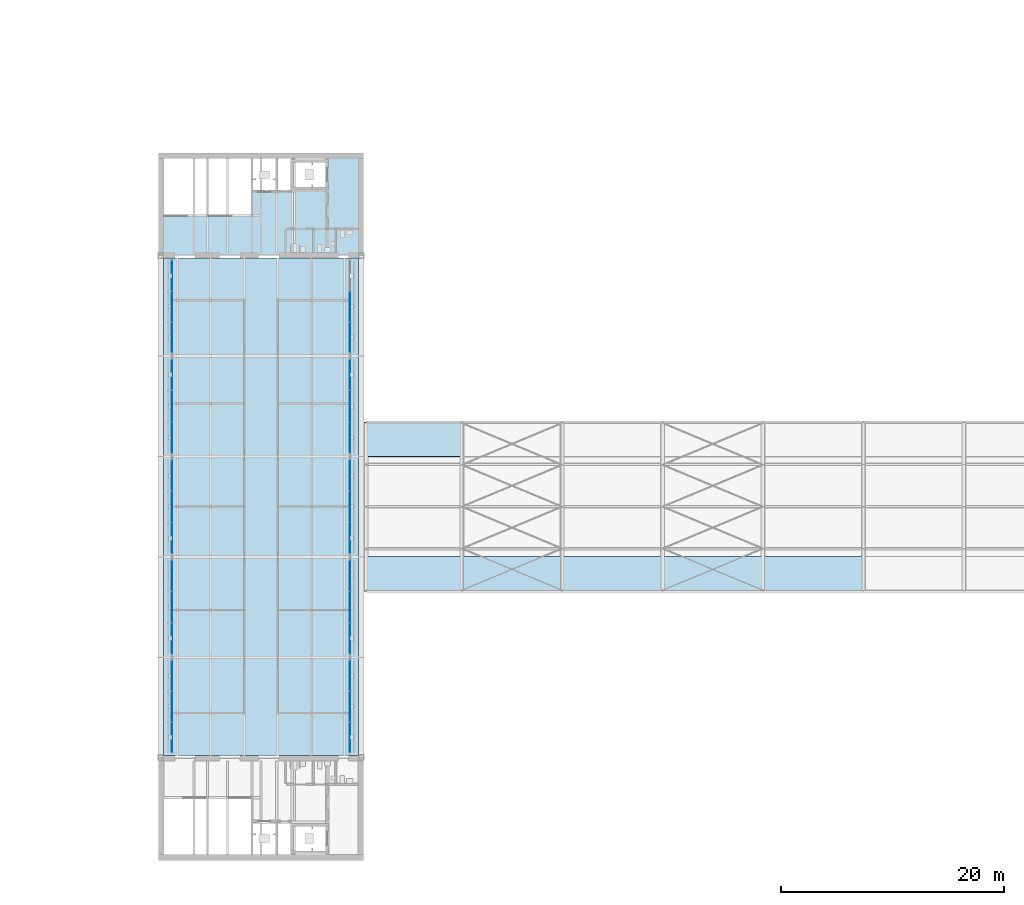
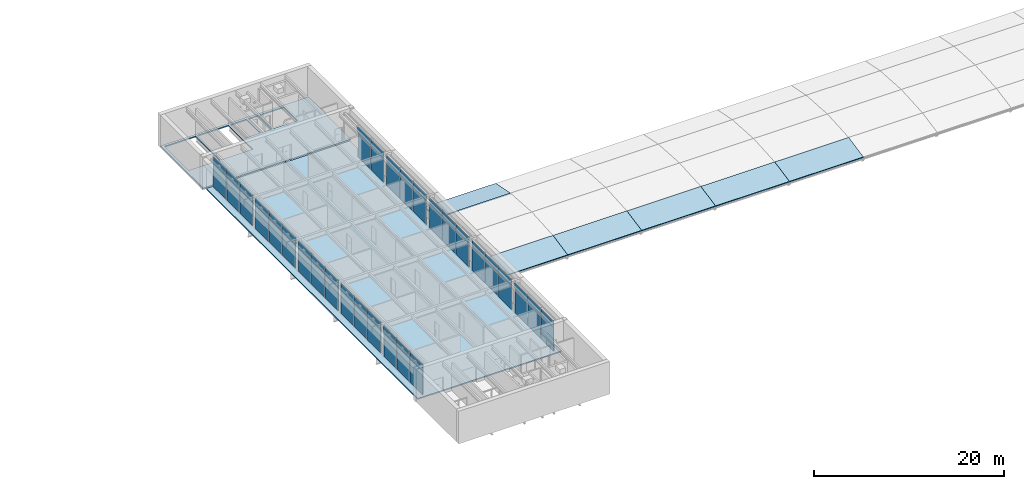
# One storey, part 16 of 43: 58 plates, 8 slabs, 10 elements without a shape of their own.
"""IFC4 building model written with IfcOpenShell, lengths in metres."""

import ifcopenshell
import ifcopenshell.guid

model = None  # the IFC model being written
_history = None  # IfcOwnerHistory: only IFC2X3 demands one
_inside = {}  # id of a spatial element -> (the spatial element, [elements in it])
_under = {}  # id of a project, library or spatial element -> (it, [spatial elements below it])
_declared = {}  # id of a project -> (the project, [libraries it declares])
_typed = {}  # id of a type object -> (the type object, [elements of that type])
_made_of = {}  # id of a material, layer set ... -> (it, [elements and type objects made of it])


def new_model(schema):
    """Start an empty IFC model of exactly this schema.

    Asked for "IFC4X3", IfcOpenShell would pick the latest addendum, in which some entities
    have other attributes; the version numbers below select the first issue.
    IFC2X3 requires an IfcOwnerHistory on every rooted entity: one is made here for all.
    """
    global model, _history
    if schema == "IFC4X3":
        model = ifcopenshell.file(schema_version=(4, 3, 0, 0))
    else:
        model = ifcopenshell.file(schema=schema)
    _inside.clear()
    _under.clear()
    _declared.clear()
    _typed.clear()
    _made_of.clear()
    _history = None
    if model.schema == "IFC2X3":
        org = make("IfcOrganization", Name="unknown")
        user = make(
            "IfcPersonAndOrganization",
            ThePerson=make("IfcPerson", FamilyName="unknown"),
            TheOrganization=org,
        )
        app = make(
            "IfcApplication",
            ApplicationDeveloper=org,
            Version="unknown",
            ApplicationFullName="unknown",
            ApplicationIdentifier="unknown",
        )
        _history = make(
            "IfcOwnerHistory",
            OwningUser=user,
            OwningApplication=app,
            ChangeAction="ADDED",
            CreationDate=0,
        )
    return model


def make(cls, **values):
    """One entity of the class cls with the attributes given. An attribute that is None is left unset."""
    return model.create_entity(
        cls, **{name: value for name, value in values.items() if value is not None}
    )


def rooted(cls, **values):
    """An entity with a GlobalId (a new one), such as an element, a storey or a relation."""
    return make(cls, GlobalId=ifcopenshell.guid.new(), OwnerHistory=_history, **values)


def si_unit(unit_type, name, prefix=None):
    """IfcSIUnit, for example si_unit("LENGTHUNIT", "METRE", prefix="MILLI")."""
    return make("IfcSIUnit", UnitType=unit_type, Prefix=prefix, Name=name)


def assignment(units):
    """IfcUnitAssignment: the units of a project."""
    return None if units is None else make("IfcUnitAssignment", Units=units)


def point(xyz):
    """IfcCartesianPoint."""
    return None if xyz is None else make("IfcCartesianPoint", Coordinates=xyz)


def direction(xyz):
    """IfcDirection."""
    return None if xyz is None else make("IfcDirection", DirectionRatios=xyz)


def frame(location, z_axis=None, x_axis=None):
    """IfcAxis2Placement3D, a coordinate frame: its origin and axes. An axis left out is left unset."""
    return make(
        "IfcAxis2Placement3D",
        Location=point(location),
        Axis=direction(z_axis),
        RefDirection=direction(x_axis),
    )


def frame_2d(location, x_axis=None):
    """IfcAxis2Placement2D, a coordinate frame in the plane: its origin and x axis."""
    return make(
        "IfcAxis2Placement2D", Location=point(location), RefDirection=direction(x_axis)
    )


def origin():
    """The frame at (0, 0, 0) with its axes left unset."""
    return frame((0.0, 0.0, 0.0))


def origin_2d():
    """The frame at (0, 0) in the plane with its x axis left unset."""
    return frame_2d((0.0, 0.0))


def place(relative_to, where):
    """IfcLocalPlacement: puts the frame where relative to a parent placement (None: the world)."""
    return make(
        "IfcLocalPlacement", PlacementRelTo=relative_to, RelativePlacement=where
    )


def context(
    kind, dimensions, precision=None, world=None, true_north=None, identifier=None
):
    """IfcGeometricRepresentationContext, for example the 3D "Model" context."""
    return make(
        "IfcGeometricRepresentationContext",
        ContextIdentifier=identifier,
        ContextType=kind,
        CoordinateSpaceDimension=dimensions,
        Precision=precision,
        WorldCoordinateSystem=world,
        TrueNorth=true_north,
    )


def subcontext(parent, identifier, kind, view, scale=None):
    """IfcGeometricRepresentationSubContext, for example "Body" below "Model"."""
    return make(
        "IfcGeometricRepresentationSubContext",
        ContextIdentifier=identifier,
        ContextType=kind,
        ParentContext=parent,
        TargetScale=scale,
        TargetView=view,
    )


def project(units=None, contexts=None):
    """IfcProject with its units and contexts."""
    return rooted(
        "IfcProject",
        Name="project",
        RepresentationContexts=contexts,
        UnitsInContext=assignment(units),
    )


def spatial(cls, under=None, at=None, **own):
    """A site, building, storey or space (cls), placed at a placement, below another one or the project."""
    s = rooted(cls, ObjectPlacement=at, **own)
    if under is not None:
        _under.setdefault(under.id(), (under, []))[1].append(s)
    return s


def polyline(points):
    """IfcPolyline through the points."""
    return make("IfcPolyline", Points=[point(p) for p in points])


def profile(cls, at=None, kind="AREA", **sizes):
    """A parametric profile (cls). Its sizes go by their IFC names, for example OverallWidth=200.0."""
    return make(cls, ProfileType=kind, Position=at, **sizes)


def rectangle(**sizes):
    """IfcRectangleProfileDef."""
    return profile("IfcRectangleProfileDef", **sizes)


def outline(outer, holes=None, kind="AREA"):
    """IfcArbitraryClosedProfileDef: a profile drawn as a closed curve; with holes, ...WithVoids."""
    if holes is None:
        return make("IfcArbitraryClosedProfileDef", ProfileType=kind, OuterCurve=outer)
    return make(
        "IfcArbitraryProfileDefWithVoids",
        ProfileType=kind,
        OuterCurve=outer,
        InnerCurves=holes,
    )


def extrude(swept, where, along, depth):
    """IfcExtrudedAreaSolid: the profile swept, set in the frame where, extruded along a direction by depth."""
    return make(
        "IfcExtrudedAreaSolid",
        SweptArea=swept,
        Position=where,
        ExtrudedDirection=direction(along),
        Depth=depth,
    )


def shape(context_of_items, identifier, shape_type, items):
    """IfcShapeRepresentation: the items that make up one representation, for example the "Body"."""
    return make(
        "IfcShapeRepresentation",
        ContextOfItems=context_of_items,
        RepresentationIdentifier=identifier,
        RepresentationType=shape_type,
        Items=items,
    )


def material(Name=None, Category=None):
    """IfcMaterial."""
    return make("IfcMaterial", Name=Name, Category=Category)


def layer(
    of_material, thickness, ventilated=None, Name=None, Category=None, Priority=None
):
    """IfcMaterialLayer: one layer of a wall or slab, of a material (None: an air gap)."""
    return make(
        "IfcMaterialLayer",
        Material=of_material,
        LayerThickness=thickness,
        IsVentilated=ventilated,
        Name=Name,
        Category=Category,
        Priority=Priority,
    )


def layer_set(layers, Name=None):
    """IfcMaterialLayerSet."""
    return make("IfcMaterialLayerSet", MaterialLayers=layers, LayerSetName=Name)


def made_of(thing, what):
    """Note that an element or type object is made of a material, layer set ...; save() writes the relation."""
    if what is not None:
        _made_of.setdefault(what.id(), (what, []))[1].append(thing)
    return thing


def type_object(cls, material=None, **own):
    """A type object (cls), such as IfcWallType, which elements share."""
    return made_of(rooted(cls, **own), material)


def element(
    cls,
    number,
    at=None,
    inside=None,
    cuts=None,
    type_object=None,
    material=None,
    context=None,
    identifier="Body",
    shape_type=None,
    held_by="IfcProductDefinitionShape",
    body=None,
    shapes=None,
    **own,
):
    """One element of the class cls, such as IfcWall. Its Tag is "e" and its number.

    at: its placement. inside: the storey or other place that contains it. cuts: it is an
    opening in that element (IfcRelVoidsElement). A single representation is given by context,
    identifier, shape_type and body (its items); several are given by shapes. held_by: the class
    of the entity that holds the representations. save() writes the other relations.
    """
    e = rooted(cls, Tag="e%d" % number, ObjectPlacement=at, **own)
    if body is not None:
        shapes = [shape(context, identifier, shape_type, body)]
    if shapes is not None:
        e.Representation = make(held_by, Representations=shapes)
    if inside is not None:
        _inside.setdefault(inside.id(), (inside, []))[1].append(e)
    if cuts is not None:
        rooted(
            "IfcRelVoidsElement", RelatingBuildingElement=cuts, RelatedOpeningElement=e
        )
    if type_object is not None:
        _typed.setdefault(type_object.id(), (type_object, []))[1].append(e)
    return made_of(e, material)


def aggregate(whole, parts):
    """IfcRelAggregates: a whole, such as a stair, and the parts it consists of."""
    return rooted("IfcRelAggregates", RelatingObject=whole, RelatedObjects=parts)


def save(model, path):
    """Write the relations noted so far, then the file.

    IfcRelAggregates (storeys below a building ...), IfcRelContainedInSpatialStructure (elements
    in a storey), IfcRelDefinesByType, IfcRelAssociatesMaterial and IfcRelDeclares: one each for
    every whole, place, type object, material and project.
    """
    for whole, parts in _under.values():
        aggregate(whole, parts)
    for where, things in _inside.values():
        rooted(
            "IfcRelContainedInSpatialStructure",
            RelatedElements=things,
            RelatingStructure=where,
        )
    for kind, things in _typed.values():
        rooted("IfcRelDefinesByType", RelatedObjects=things, RelatingType=kind)
    for what, things in _made_of.values():
        rooted("IfcRelAssociatesMaterial", RelatedObjects=things, RelatingMaterial=what)
    for by, libraries in _declared.values():
        rooted("IfcRelDeclares", RelatingContext=by, RelatedDefinitions=libraries)
    model.write(path)


model = new_model("IFC4")

# Units and contexts
model_context = context("Model", 3, precision=1e-05, world=origin(), true_north=direction((0.0, 1.0)))
body_context = subcontext(model_context, "Body", "Model", "MODEL_VIEW")
ifc_project = project(units=[si_unit("LENGTHUNIT", "METRE"), si_unit("AREAUNIT", "SQUARE_METRE"), si_unit("VOLUMEUNIT", "CUBIC_METRE"), si_unit("PLANEANGLEUNIT", "RADIAN"), si_unit("MASSUNIT", "GRAM", prefix="KILO")], contexts=[model_context])

# Site, building, storey
site_placement = place(None, origin())
site = spatial("IfcSite", under=ifc_project, at=site_placement, CompositionType="ELEMENT")
building_placement = place(site_placement, origin())
building = spatial("IfcBuilding", under=site, at=building_placement, Name="Baradari Gate Terminus", CompositionType="ELEMENT")
storey_placement = place(building_placement, frame((0.0, 0.0, 20.10009765625)))
storey = spatial("IfcBuildingStorey", under=building, at=storey_placement, Name="L04", CompositionType="ELEMENT", Elevation=20.10009765625)

# Curtain wall, plates
ifc_material_1 = material(Name="Aluminium 6063-T6", Category="aluminium")
curtain_wall_type = type_object("IfcCurtainWallType", Name="Curtain wall CW-3 gate face, office floors", PredefinedType="NOTDEFINED", material=ifc_material_1)
curtain_wall_1_placement = place(storey_placement, origin())
curtain_wall_1 = element("IfcCurtainWall", 1, at=curtain_wall_1_placement, inside=storey, type_object=curtain_wall_type, Name="Curtain wall CW-3 gate west face L04 bay 1", PredefinedType="NOTDEFINED")
ifc_material_2 = material(Name="Insulating glass unit", Category="glass")
ifc_layer_1 = layer(ifc_material_2, 0.0400390625)
ifc_layer_set_1 = layer_set([ifc_layer_1], Name="Insulating glass unit")
plate_type_1 = type_object("IfcPlateType", Name="Curtain wall glazing unit CP-3 40", PredefinedType="CURTAIN_PANEL", material=ifc_layer_set_1)
plate_1_placement = place(storey_placement, frame((73.02490234375, 40.574951171875, 0.080078125), z_axis=(0.0, 0.0, 1.0), x_axis=(0.0, 1.0, 0.0)))
plate_1 = element("IfcPlate", 2, at=plate_1_placement, type_object=plate_type_1, Name="CW-3 panel 2.1", PredefinedType="CURTAIN_PANEL", context=body_context, shape_type="SweptSolid", body=[
    extrude(rectangle(XDim=2.703369140625, YDim=0.0400390625, at=origin_2d()), origin(), (0.0, 0.0, 1.0), 3.030029296875),
])
plate_2_placement = place(storey_placement, frame((73.02490234375, 43.33837890625, 0.080078125), z_axis=(0.0, 0.0, 1.0), x_axis=(0.0, 1.0, 0.0)))
plate_2 = element("IfcPlate", 3, at=plate_2_placement, type_object=plate_type_1, Name="CW-3 panel 3.1", PredefinedType="CURTAIN_PANEL", context=body_context, shape_type="SweptSolid", body=[
    extrude(rectangle(XDim=2.663330078125, YDim=0.0400390625, at=origin_2d()), origin(), (0.0, 0.0, 1.0), 3.030029296875),
])

curtain_wall_2_placement = place(storey_placement, origin())
curtain_wall_2 = element("IfcCurtainWall", 4, at=curtain_wall_2_placement, inside=storey, type_object=curtain_wall_type, Name="Curtain wall CW-3 gate west face L04 bay 2", PredefinedType="NOTDEFINED")
plate_3_placement = place(storey_placement, frame((73.02490234375, 49.5, 0.080078125), z_axis=(0.0, 0.0, 1.0), x_axis=(0.0, 1.0, 0.0)))
plate_3 = element("IfcPlate", 5, at=plate_3_placement, type_object=plate_type_1, Name="CW-3 panel 2.1", PredefinedType="CURTAIN_PANEL", context=body_context, shape_type="SweptSolid", body=[
    extrude(rectangle(XDim=2.75341796875, YDim=0.0400390625, at=origin_2d()), origin(), (0.0, 0.0, 1.0), 3.030029296875),
])
plate_4_placement = place(storey_placement, frame((73.02490234375, 52.313232421875, 0.080078125), z_axis=(0.0, 0.0, 1.0), x_axis=(0.0, 1.0, 0.0)))
plate_4 = element("IfcPlate", 6, at=plate_4_placement, type_object=plate_type_1, Name="CW-3 panel 3.1", PredefinedType="CURTAIN_PANEL", context=body_context, shape_type="SweptSolid", body=[
    extrude(rectangle(XDim=2.71337890625, YDim=0.0400390625, at=origin_2d()), origin(), (0.0, 0.0, 1.0), 3.030029296875),
])

curtain_wall_3_placement = place(storey_placement, origin())
curtain_wall_3 = element("IfcCurtainWall", 7, at=curtain_wall_3_placement, inside=storey, type_object=curtain_wall_type, Name="Curtain wall CW-3 gate west face L04 bay 3", PredefinedType="NOTDEFINED")
plate_5_placement = place(storey_placement, frame((73.02490234375, 58.5, 0.080078125), z_axis=(0.0, 0.0, 1.0), x_axis=(0.0, 1.0, 0.0)))
plate_5 = element("IfcPlate", 8, at=plate_5_placement, type_object=plate_type_1, Name="CW-3 panel 2.1", PredefinedType="CURTAIN_PANEL", context=body_context, shape_type="SweptSolid", body=[
    extrude(rectangle(XDim=2.75341796875, YDim=0.0400390625, at=origin_2d()), origin(), (0.0, 0.0, 1.0), 3.030029296875),
])
plate_6_placement = place(storey_placement, frame((73.02490234375, 61.313232421875, 0.080078125), z_axis=(0.0, 0.0, 1.0), x_axis=(0.0, 1.0, 0.0)))
plate_6 = element("IfcPlate", 9, at=plate_6_placement, type_object=plate_type_1, Name="CW-3 panel 3.1", PredefinedType="CURTAIN_PANEL", context=body_context, shape_type="SweptSolid", body=[
    extrude(rectangle(XDim=2.71337890625, YDim=0.0400390625, at=origin_2d()), origin(), (0.0, 0.0, 1.0), 3.030029296875),
])

curtain_wall_4_placement = place(storey_placement, origin())
curtain_wall_4 = element("IfcCurtainWall", 10, at=curtain_wall_4_placement, inside=storey, type_object=curtain_wall_type, Name="Curtain wall CW-3 gate west face L04 bay 4", PredefinedType="NOTDEFINED")
plate_7_placement = place(storey_placement, frame((73.02490234375, 64.686767578125, 0.080078125), z_axis=(0.0, 0.0, 1.0), x_axis=(0.0, 1.0, 0.0)))
plate_7 = element("IfcPlate", 11, at=plate_7_placement, type_object=plate_type_1, Name="CW-3 panel 1.1", PredefinedType="CURTAIN_PANEL", context=body_context, shape_type="SweptSolid", body=[
    extrude(rectangle(XDim=2.71337890625, YDim=0.0400390625, at=origin_2d()), origin(), (0.0, 0.0, 1.0), 3.030029296875),
])
plate_8_placement = place(storey_placement, frame((73.02490234375, 67.5, 0.080078125), z_axis=(0.0, 0.0, 1.0), x_axis=(0.0, 1.0, 0.0)))
plate_8 = element("IfcPlate", 12, at=plate_8_placement, type_object=plate_type_1, Name="CW-3 panel 2.1", PredefinedType="CURTAIN_PANEL", context=body_context, shape_type="SweptSolid", body=[
    extrude(rectangle(XDim=2.75341796875, YDim=0.0400390625, at=origin_2d()), origin(), (0.0, 0.0, 1.0), 3.030029296875),
])

curtain_wall_5_placement = place(storey_placement, origin())
curtain_wall_5 = element("IfcCurtainWall", 13, at=curtain_wall_5_placement, inside=storey, type_object=curtain_wall_type, Name="Curtain wall CW-3 gate west face L04 bay 5", PredefinedType="NOTDEFINED")
plate_9_placement = place(storey_placement, frame((73.02490234375, 73.66162109375, 0.080078125), z_axis=(0.0, 0.0, 1.0), x_axis=(0.0, 1.0, 0.0)))
plate_9 = element("IfcPlate", 14, at=plate_9_placement, type_object=plate_type_1, Name="CW-3 panel 1.1", PredefinedType="CURTAIN_PANEL", context=body_context, shape_type="SweptSolid", body=[
    extrude(rectangle(XDim=2.663330078125, YDim=0.0400390625, at=origin_2d()), origin(), (0.0, 0.0, 1.0), 3.030029296875),
])
plate_10_placement = place(storey_placement, frame((73.02490234375, 76.425048828125, 0.080078125), z_axis=(0.0, 0.0, 1.0), x_axis=(0.0, 1.0, 0.0)))
plate_10 = element("IfcPlate", 15, at=plate_10_placement, type_object=plate_type_1, Name="CW-3 panel 2.1", PredefinedType="CURTAIN_PANEL", context=body_context, shape_type="SweptSolid", body=[
    extrude(rectangle(XDim=2.703369140625, YDim=0.0400390625, at=origin_2d()), origin(), (0.0, 0.0, 1.0), 3.030029296875),
])

curtain_wall_6_placement = place(storey_placement, origin())
curtain_wall_6 = element("IfcCurtainWall", 16, at=curtain_wall_6_placement, inside=storey, type_object=curtain_wall_type, Name="Curtain wall CW-3 gate east face L04 bay 1", PredefinedType="NOTDEFINED")
plate_11_placement = place(storey_placement, frame((88.97509765625, 40.574951171875, 0.080078125), z_axis=(0.0, 0.0, 1.0), x_axis=(0.0, 1.0, 0.0)))
plate_11 = element("IfcPlate", 17, at=plate_11_placement, type_object=plate_type_1, Name="CW-3 panel 2.1", PredefinedType="CURTAIN_PANEL", context=body_context, shape_type="SweptSolid", body=[
    extrude(rectangle(XDim=2.703369140625, YDim=0.0400390625, at=origin_2d()), origin(), (0.0, 0.0, 1.0), 3.030029296875),
])
plate_12_placement = place(storey_placement, frame((88.97509765625, 43.33837890625, 0.080078125), z_axis=(0.0, 0.0, 1.0), x_axis=(0.0, 1.0, 0.0)))
plate_12 = element("IfcPlate", 18, at=plate_12_placement, type_object=plate_type_1, Name="CW-3 panel 3.1", PredefinedType="CURTAIN_PANEL", context=body_context, shape_type="SweptSolid", body=[
    extrude(rectangle(XDim=2.663330078125, YDim=0.0400390625, at=origin_2d()), origin(), (0.0, 0.0, 1.0), 3.030029296875),
])

curtain_wall_7_placement = place(storey_placement, origin())
curtain_wall_7 = element("IfcCurtainWall", 19, at=curtain_wall_7_placement, inside=storey, type_object=curtain_wall_type, Name="Curtain wall CW-3 gate east face L04 bay 2", PredefinedType="NOTDEFINED")
plate_13_placement = place(storey_placement, frame((88.97509765625, 49.5, 0.080078125), z_axis=(0.0, 0.0, 1.0), x_axis=(0.0, 1.0, 0.0)))
plate_13 = element("IfcPlate", 20, at=plate_13_placement, type_object=plate_type_1, Name="CW-3 panel 2.1", PredefinedType="CURTAIN_PANEL", context=body_context, shape_type="SweptSolid", body=[
    extrude(rectangle(XDim=2.75341796875, YDim=0.0400390625, at=origin_2d()), origin(), (0.0, 0.0, 1.0), 3.030029296875),
])
plate_14_placement = place(storey_placement, frame((88.97509765625, 52.313232421875, 0.080078125), z_axis=(0.0, 0.0, 1.0), x_axis=(0.0, 1.0, 0.0)))
plate_14 = element("IfcPlate", 21, at=plate_14_placement, type_object=plate_type_1, Name="CW-3 panel 3.1", PredefinedType="CURTAIN_PANEL", context=body_context, shape_type="SweptSolid", body=[
    extrude(rectangle(XDim=2.71337890625, YDim=0.0400390625, at=origin_2d()), origin(), (0.0, 0.0, 1.0), 3.030029296875),
])

curtain_wall_8_placement = place(storey_placement, origin())
curtain_wall_8 = element("IfcCurtainWall", 22, at=curtain_wall_8_placement, inside=storey, type_object=curtain_wall_type, Name="Curtain wall CW-3 gate east face L04 bay 3", PredefinedType="NOTDEFINED")
plate_15_placement = place(storey_placement, frame((88.97509765625, 58.5, 0.080078125), z_axis=(0.0, 0.0, 1.0), x_axis=(0.0, 1.0, 0.0)))
plate_15 = element("IfcPlate", 23, at=plate_15_placement, type_object=plate_type_1, Name="CW-3 panel 2.1", PredefinedType="CURTAIN_PANEL", context=body_context, shape_type="SweptSolid", body=[
    extrude(rectangle(XDim=2.75341796875, YDim=0.0400390625, at=origin_2d()), origin(), (0.0, 0.0, 1.0), 3.030029296875),
])
plate_16_placement = place(storey_placement, frame((88.97509765625, 61.313232421875, 0.080078125), z_axis=(0.0, 0.0, 1.0), x_axis=(0.0, 1.0, 0.0)))
plate_16 = element("IfcPlate", 24, at=plate_16_placement, type_object=plate_type_1, Name="CW-3 panel 3.1", PredefinedType="CURTAIN_PANEL", context=body_context, shape_type="SweptSolid", body=[
    extrude(rectangle(XDim=2.71337890625, YDim=0.0400390625, at=origin_2d()), origin(), (0.0, 0.0, 1.0), 3.030029296875),
])

curtain_wall_9_placement = place(storey_placement, origin())
curtain_wall_9 = element("IfcCurtainWall", 25, at=curtain_wall_9_placement, inside=storey, type_object=curtain_wall_type, Name="Curtain wall CW-3 gate east face L04 bay 4", PredefinedType="NOTDEFINED")
plate_17_placement = place(storey_placement, frame((88.97509765625, 64.686767578125, 0.080078125), z_axis=(0.0, 0.0, 1.0), x_axis=(0.0, 1.0, 0.0)))
plate_17 = element("IfcPlate", 26, at=plate_17_placement, type_object=plate_type_1, Name="CW-3 panel 1.1", PredefinedType="CURTAIN_PANEL", context=body_context, shape_type="SweptSolid", body=[
    extrude(rectangle(XDim=2.71337890625, YDim=0.0400390625, at=origin_2d()), origin(), (0.0, 0.0, 1.0), 3.030029296875),
])
plate_18_placement = place(storey_placement, frame((88.97509765625, 67.5, 0.080078125), z_axis=(0.0, 0.0, 1.0), x_axis=(0.0, 1.0, 0.0)))
plate_18 = element("IfcPlate", 27, at=plate_18_placement, type_object=plate_type_1, Name="CW-3 panel 2.1", PredefinedType="CURTAIN_PANEL", context=body_context, shape_type="SweptSolid", body=[
    extrude(rectangle(XDim=2.75341796875, YDim=0.0400390625, at=origin_2d()), origin(), (0.0, 0.0, 1.0), 3.030029296875),
])

curtain_wall_10_placement = place(storey_placement, origin())
curtain_wall_10 = element("IfcCurtainWall", 28, at=curtain_wall_10_placement, inside=storey, type_object=curtain_wall_type, Name="Curtain wall CW-3 gate east face L04 bay 5", PredefinedType="NOTDEFINED")
plate_19_placement = place(storey_placement, frame((88.97509765625, 73.66162109375, 0.080078125), z_axis=(0.0, 0.0, 1.0), x_axis=(0.0, 1.0, 0.0)))
plate_19 = element("IfcPlate", 29, at=plate_19_placement, type_object=plate_type_1, Name="CW-3 panel 1.1", PredefinedType="CURTAIN_PANEL", context=body_context, shape_type="SweptSolid", body=[
    extrude(rectangle(XDim=2.663330078125, YDim=0.0400390625, at=origin_2d()), origin(), (0.0, 0.0, 1.0), 3.030029296875),
])
plate_20_placement = place(storey_placement, frame((88.97509765625, 76.425048828125, 0.080078125), z_axis=(0.0, 0.0, 1.0), x_axis=(0.0, 1.0, 0.0)))
plate_20 = element("IfcPlate", 30, at=plate_20_placement, type_object=plate_type_1, Name="CW-3 panel 2.1", PredefinedType="CURTAIN_PANEL", context=body_context, shape_type="SweptSolid", body=[
    extrude(rectangle(XDim=2.703369140625, YDim=0.0400390625, at=origin_2d()), origin(), (0.0, 0.0, 1.0), 3.030029296875),
])

# Plate
ifc_material_3 = material(Name="Back-painted glass", Category="glass")
ifc_layer_2 = layer(ifc_material_3, 0.080078125)
ifc_layer_set_2 = layer_set([ifc_layer_2], Name="Back-painted glass")
plate_type_2 = type_object("IfcPlateType", Name="Curtain wall spandrel panel CP-S3 80", PredefinedType="CURTAIN_PANEL", material=ifc_layer_set_2)
plate_21_placement = place(storey_placement, frame((73.02490234375, 37.811767578125, 0.080078125), z_axis=(0.0, 0.0, 1.0), x_axis=(0.0, 1.0, 0.0)))
plate_21 = element("IfcPlate", 31, at=plate_21_placement, type_object=plate_type_2, Name="CW-3 spandrel panel 1.1", PredefinedType="CURTAIN_PANEL", context=body_context, shape_type="SweptSolid", body=[
    extrude(rectangle(XDim=2.663330078125, YDim=0.080078125, at=origin_2d()), origin(), (0.0, 0.0, 1.0), 3.030029296875),
])

plate_22_placement = place(storey_placement, frame((73.02490234375, 37.811767578125, 3.18994140625), z_axis=(0.0, 0.0, 1.0), x_axis=(0.0, 1.0, 0.0)))
plate_22 = element("IfcPlate", 32, at=plate_22_placement, type_object=plate_type_2, Name="CW-3 spandrel panel 1.2", PredefinedType="CURTAIN_PANEL", context=body_context, shape_type="SweptSolid", body=[
    extrude(rectangle(XDim=2.663330078125, YDim=0.080078125, at=origin_2d()), origin(), (0.0, 0.0, 1.0), 0.780029296875),
])

plate_23_placement = place(storey_placement, frame((73.02490234375, 40.574951171875, 3.18994140625), z_axis=(0.0, 0.0, 1.0), x_axis=(0.0, 1.0, 0.0)))
plate_23 = element("IfcPlate", 33, at=plate_23_placement, type_object=plate_type_2, Name="CW-3 spandrel panel 2.2", PredefinedType="CURTAIN_PANEL", context=body_context, shape_type="SweptSolid", body=[
    extrude(rectangle(XDim=2.703369140625, YDim=0.080078125, at=origin_2d()), origin(), (0.0, 0.0, 1.0), 0.780029296875),
])

plate_24_placement = place(storey_placement, frame((73.02490234375, 43.33837890625, 3.18994140625), z_axis=(0.0, 0.0, 1.0), x_axis=(0.0, 1.0, 0.0)))
plate_24 = element("IfcPlate", 34, at=plate_24_placement, type_object=plate_type_2, Name="CW-3 spandrel panel 3.2", PredefinedType="CURTAIN_PANEL", context=body_context, shape_type="SweptSolid", body=[
    extrude(rectangle(XDim=2.663330078125, YDim=0.080078125, at=origin_2d()), origin(), (0.0, 0.0, 1.0), 0.780029296875),
])

aggregate(curtain_wall_1, [plate_21, plate_22, plate_1, plate_23, plate_2, plate_24])

plate_25_placement = place(storey_placement, frame((73.02490234375, 46.686767578125, 0.080078125), z_axis=(0.0, 0.0, 1.0), x_axis=(0.0, 1.0, 0.0)))
plate_25 = element("IfcPlate", 35, at=plate_25_placement, type_object=plate_type_2, Name="CW-3 spandrel panel 1.1", PredefinedType="CURTAIN_PANEL", context=body_context, shape_type="SweptSolid", body=[
    extrude(rectangle(XDim=2.71337890625, YDim=0.080078125, at=origin_2d()), origin(), (0.0, 0.0, 1.0), 3.030029296875),
])

plate_26_placement = place(storey_placement, frame((73.02490234375, 46.686767578125, 3.18994140625), z_axis=(0.0, 0.0, 1.0), x_axis=(0.0, 1.0, 0.0)))
plate_26 = element("IfcPlate", 36, at=plate_26_placement, type_object=plate_type_2, Name="CW-3 spandrel panel 1.2", PredefinedType="CURTAIN_PANEL", context=body_context, shape_type="SweptSolid", body=[
    extrude(rectangle(XDim=2.71337890625, YDim=0.080078125, at=origin_2d()), origin(), (0.0, 0.0, 1.0), 0.780029296875),
])

plate_27_placement = place(storey_placement, frame((73.02490234375, 49.5, 3.18994140625), z_axis=(0.0, 0.0, 1.0), x_axis=(0.0, 1.0, 0.0)))
plate_27 = element("IfcPlate", 37, at=plate_27_placement, type_object=plate_type_2, Name="CW-3 spandrel panel 2.2", PredefinedType="CURTAIN_PANEL", context=body_context, shape_type="SweptSolid", body=[
    extrude(rectangle(XDim=2.75341796875, YDim=0.080078125, at=origin_2d()), origin(), (0.0, 0.0, 1.0), 0.780029296875),
])

plate_28_placement = place(storey_placement, frame((73.02490234375, 52.313232421875, 3.18994140625), z_axis=(0.0, 0.0, 1.0), x_axis=(0.0, 1.0, 0.0)))
plate_28 = element("IfcPlate", 38, at=plate_28_placement, type_object=plate_type_2, Name="CW-3 spandrel panel 3.2", PredefinedType="CURTAIN_PANEL", context=body_context, shape_type="SweptSolid", body=[
    extrude(rectangle(XDim=2.71337890625, YDim=0.080078125, at=origin_2d()), origin(), (0.0, 0.0, 1.0), 0.780029296875),
])

aggregate(curtain_wall_2, [plate_25, plate_26, plate_3, plate_27, plate_4, plate_28])

plate_29_placement = place(storey_placement, frame((73.02490234375, 55.686767578125, 0.080078125), z_axis=(0.0, 0.0, 1.0), x_axis=(0.0, 1.0, 0.0)))
plate_29 = element("IfcPlate", 39, at=plate_29_placement, type_object=plate_type_2, Name="CW-3 spandrel panel 1.1", PredefinedType="CURTAIN_PANEL", context=body_context, shape_type="SweptSolid", body=[
    extrude(rectangle(XDim=2.71337890625, YDim=0.080078125, at=origin_2d()), origin(), (0.0, 0.0, 1.0), 3.030029296875),
])

plate_30_placement = place(storey_placement, frame((73.02490234375, 55.686767578125, 3.18994140625), z_axis=(0.0, 0.0, 1.0), x_axis=(0.0, 1.0, 0.0)))
plate_30 = element("IfcPlate", 40, at=plate_30_placement, type_object=plate_type_2, Name="CW-3 spandrel panel 1.2", PredefinedType="CURTAIN_PANEL", context=body_context, shape_type="SweptSolid", body=[
    extrude(rectangle(XDim=2.71337890625, YDim=0.080078125, at=origin_2d()), origin(), (0.0, 0.0, 1.0), 0.780029296875),
])

plate_31_placement = place(storey_placement, frame((73.02490234375, 58.5, 3.18994140625), z_axis=(0.0, 0.0, 1.0), x_axis=(0.0, 1.0, 0.0)))
plate_31 = element("IfcPlate", 41, at=plate_31_placement, type_object=plate_type_2, Name="CW-3 spandrel panel 2.2", PredefinedType="CURTAIN_PANEL", context=body_context, shape_type="SweptSolid", body=[
    extrude(rectangle(XDim=2.75341796875, YDim=0.080078125, at=origin_2d()), origin(), (0.0, 0.0, 1.0), 0.780029296875),
])

plate_32_placement = place(storey_placement, frame((73.02490234375, 61.313232421875, 3.18994140625), z_axis=(0.0, 0.0, 1.0), x_axis=(0.0, 1.0, 0.0)))
plate_32 = element("IfcPlate", 42, at=plate_32_placement, type_object=plate_type_2, Name="CW-3 spandrel panel 3.2", PredefinedType="CURTAIN_PANEL", context=body_context, shape_type="SweptSolid", body=[
    extrude(rectangle(XDim=2.71337890625, YDim=0.080078125, at=origin_2d()), origin(), (0.0, 0.0, 1.0), 0.780029296875),
])

aggregate(curtain_wall_3, [plate_29, plate_30, plate_5, plate_31, plate_6, plate_32])

plate_33_placement = place(storey_placement, frame((73.02490234375, 64.686767578125, 3.18994140625), z_axis=(0.0, 0.0, 1.0), x_axis=(0.0, 1.0, 0.0)))
plate_33 = element("IfcPlate", 43, at=plate_33_placement, type_object=plate_type_2, Name="CW-3 spandrel panel 1.2", PredefinedType="CURTAIN_PANEL", context=body_context, shape_type="SweptSolid", body=[
    extrude(rectangle(XDim=2.71337890625, YDim=0.080078125, at=origin_2d()), origin(), (0.0, 0.0, 1.0), 0.780029296875),
])

plate_34_placement = place(storey_placement, frame((73.02490234375, 67.5, 3.18994140625), z_axis=(0.0, 0.0, 1.0), x_axis=(0.0, 1.0, 0.0)))
plate_34 = element("IfcPlate", 44, at=plate_34_placement, type_object=plate_type_2, Name="CW-3 spandrel panel 2.2", PredefinedType="CURTAIN_PANEL", context=body_context, shape_type="SweptSolid", body=[
    extrude(rectangle(XDim=2.75341796875, YDim=0.080078125, at=origin_2d()), origin(), (0.0, 0.0, 1.0), 0.780029296875),
])

plate_35_placement = place(storey_placement, frame((73.02490234375, 70.313232421875, 0.080078125), z_axis=(0.0, 0.0, 1.0), x_axis=(0.0, 1.0, 0.0)))
plate_35 = element("IfcPlate", 45, at=plate_35_placement, type_object=plate_type_2, Name="CW-3 spandrel panel 3.1", PredefinedType="CURTAIN_PANEL", context=body_context, shape_type="SweptSolid", body=[
    extrude(rectangle(XDim=2.71337890625, YDim=0.080078125, at=origin_2d()), origin(), (0.0, 0.0, 1.0), 3.030029296875),
])

plate_36_placement = place(storey_placement, frame((73.02490234375, 70.313232421875, 3.18994140625), z_axis=(0.0, 0.0, 1.0), x_axis=(0.0, 1.0, 0.0)))
plate_36 = element("IfcPlate", 46, at=plate_36_placement, type_object=plate_type_2, Name="CW-3 spandrel panel 3.2", PredefinedType="CURTAIN_PANEL", context=body_context, shape_type="SweptSolid", body=[
    extrude(rectangle(XDim=2.71337890625, YDim=0.080078125, at=origin_2d()), origin(), (0.0, 0.0, 1.0), 0.780029296875),
])

aggregate(curtain_wall_4, [plate_7, plate_33, plate_8, plate_34, plate_35, plate_36])

plate_37_placement = place(storey_placement, frame((73.02490234375, 73.66162109375, 3.18994140625), z_axis=(0.0, 0.0, 1.0), x_axis=(0.0, 1.0, 0.0)))
plate_37 = element("IfcPlate", 47, at=plate_37_placement, type_object=plate_type_2, Name="CW-3 spandrel panel 1.2", PredefinedType="CURTAIN_PANEL", context=body_context, shape_type="SweptSolid", body=[
    extrude(rectangle(XDim=2.663330078125, YDim=0.080078125, at=origin_2d()), origin(), (0.0, 0.0, 1.0), 0.780029296875),
])

plate_38_placement = place(storey_placement, frame((73.02490234375, 76.425048828125, 3.18994140625), z_axis=(0.0, 0.0, 1.0), x_axis=(0.0, 1.0, 0.0)))
plate_38 = element("IfcPlate", 48, at=plate_38_placement, type_object=plate_type_2, Name="CW-3 spandrel panel 2.2", PredefinedType="CURTAIN_PANEL", context=body_context, shape_type="SweptSolid", body=[
    extrude(rectangle(XDim=2.703369140625, YDim=0.080078125, at=origin_2d()), origin(), (0.0, 0.0, 1.0), 0.780029296875),
])

plate_39_placement = place(storey_placement, frame((73.02490234375, 79.188232421875, 0.080078125), z_axis=(0.0, 0.0, 1.0), x_axis=(0.0, 1.0, 0.0)))
plate_39 = element("IfcPlate", 49, at=plate_39_placement, type_object=plate_type_2, Name="CW-3 spandrel panel 3.1", PredefinedType="CURTAIN_PANEL", context=body_context, shape_type="SweptSolid", body=[
    extrude(rectangle(XDim=2.663330078125, YDim=0.080078125, at=origin_2d()), origin(), (0.0, 0.0, 1.0), 3.030029296875),
])

plate_40_placement = place(storey_placement, frame((73.02490234375, 79.188232421875, 3.18994140625), z_axis=(0.0, 0.0, 1.0), x_axis=(0.0, 1.0, 0.0)))
plate_40 = element("IfcPlate", 50, at=plate_40_placement, type_object=plate_type_2, Name="CW-3 spandrel panel 3.2", PredefinedType="CURTAIN_PANEL", context=body_context, shape_type="SweptSolid", body=[
    extrude(rectangle(XDim=2.663330078125, YDim=0.080078125, at=origin_2d()), origin(), (0.0, 0.0, 1.0), 0.780029296875),
])

aggregate(curtain_wall_5, [plate_9, plate_37, plate_10, plate_38, plate_39, plate_40])

plate_41_placement = place(storey_placement, frame((88.97509765625, 37.811767578125, 0.080078125), z_axis=(0.0, 0.0, 1.0), x_axis=(0.0, 1.0, 0.0)))
plate_41 = element("IfcPlate", 51, at=plate_41_placement, type_object=plate_type_2, Name="CW-3 spandrel panel 1.1", PredefinedType="CURTAIN_PANEL", context=body_context, shape_type="SweptSolid", body=[
    extrude(rectangle(XDim=2.663330078125, YDim=0.080078125, at=origin_2d()), origin(), (0.0, 0.0, 1.0), 3.030029296875),
])

plate_42_placement = place(storey_placement, frame((88.97509765625, 37.811767578125, 3.18994140625), z_axis=(0.0, 0.0, 1.0), x_axis=(0.0, 1.0, 0.0)))
plate_42 = element("IfcPlate", 52, at=plate_42_placement, type_object=plate_type_2, Name="CW-3 spandrel panel 1.2", PredefinedType="CURTAIN_PANEL", context=body_context, shape_type="SweptSolid", body=[
    extrude(rectangle(XDim=2.663330078125, YDim=0.080078125, at=origin_2d()), origin(), (0.0, 0.0, 1.0), 0.780029296875),
])

plate_43_placement = place(storey_placement, frame((88.97509765625, 40.574951171875, 3.18994140625), z_axis=(0.0, 0.0, 1.0), x_axis=(0.0, 1.0, 0.0)))
plate_43 = element("IfcPlate", 53, at=plate_43_placement, type_object=plate_type_2, Name="CW-3 spandrel panel 2.2", PredefinedType="CURTAIN_PANEL", context=body_context, shape_type="SweptSolid", body=[
    extrude(rectangle(XDim=2.703369140625, YDim=0.080078125, at=origin_2d()), origin(), (0.0, 0.0, 1.0), 0.780029296875),
])

plate_44_placement = place(storey_placement, frame((88.97509765625, 43.33837890625, 3.18994140625), z_axis=(0.0, 0.0, 1.0), x_axis=(0.0, 1.0, 0.0)))
plate_44 = element("IfcPlate", 54, at=plate_44_placement, type_object=plate_type_2, Name="CW-3 spandrel panel 3.2", PredefinedType="CURTAIN_PANEL", context=body_context, shape_type="SweptSolid", body=[
    extrude(rectangle(XDim=2.663330078125, YDim=0.080078125, at=origin_2d()), origin(), (0.0, 0.0, 1.0), 0.780029296875),
])

aggregate(curtain_wall_6, [plate_41, plate_42, plate_11, plate_43, plate_12, plate_44])

plate_45_placement = place(storey_placement, frame((88.97509765625, 46.686767578125, 0.080078125), z_axis=(0.0, 0.0, 1.0), x_axis=(0.0, 1.0, 0.0)))
plate_45 = element("IfcPlate", 55, at=plate_45_placement, type_object=plate_type_2, Name="CW-3 spandrel panel 1.1", PredefinedType="CURTAIN_PANEL", context=body_context, shape_type="SweptSolid", body=[
    extrude(rectangle(XDim=2.71337890625, YDim=0.080078125, at=origin_2d()), origin(), (0.0, 0.0, 1.0), 3.030029296875),
])

plate_46_placement = place(storey_placement, frame((88.97509765625, 46.686767578125, 3.18994140625), z_axis=(0.0, 0.0, 1.0), x_axis=(0.0, 1.0, 0.0)))
plate_46 = element("IfcPlate", 56, at=plate_46_placement, type_object=plate_type_2, Name="CW-3 spandrel panel 1.2", PredefinedType="CURTAIN_PANEL", context=body_context, shape_type="SweptSolid", body=[
    extrude(rectangle(XDim=2.71337890625, YDim=0.080078125, at=origin_2d()), origin(), (0.0, 0.0, 1.0), 0.780029296875),
])

plate_47_placement = place(storey_placement, frame((88.97509765625, 49.5, 3.18994140625), z_axis=(0.0, 0.0, 1.0), x_axis=(0.0, 1.0, 0.0)))
plate_47 = element("IfcPlate", 57, at=plate_47_placement, type_object=plate_type_2, Name="CW-3 spandrel panel 2.2", PredefinedType="CURTAIN_PANEL", context=body_context, shape_type="SweptSolid", body=[
    extrude(rectangle(XDim=2.75341796875, YDim=0.080078125, at=origin_2d()), origin(), (0.0, 0.0, 1.0), 0.780029296875),
])

plate_48_placement = place(storey_placement, frame((88.97509765625, 52.313232421875, 3.18994140625), z_axis=(0.0, 0.0, 1.0), x_axis=(0.0, 1.0, 0.0)))
plate_48 = element("IfcPlate", 58, at=plate_48_placement, type_object=plate_type_2, Name="CW-3 spandrel panel 3.2", PredefinedType="CURTAIN_PANEL", context=body_context, shape_type="SweptSolid", body=[
    extrude(rectangle(XDim=2.71337890625, YDim=0.080078125, at=origin_2d()), origin(), (0.0, 0.0, 1.0), 0.780029296875),
])

aggregate(curtain_wall_7, [plate_45, plate_46, plate_13, plate_47, plate_14, plate_48])

plate_49_placement = place(storey_placement, frame((88.97509765625, 55.686767578125, 0.080078125), z_axis=(0.0, 0.0, 1.0), x_axis=(0.0, 1.0, 0.0)))
plate_49 = element("IfcPlate", 59, at=plate_49_placement, type_object=plate_type_2, Name="CW-3 spandrel panel 1.1", PredefinedType="CURTAIN_PANEL", context=body_context, shape_type="SweptSolid", body=[
    extrude(rectangle(XDim=2.71337890625, YDim=0.080078125, at=origin_2d()), origin(), (0.0, 0.0, 1.0), 3.030029296875),
])

plate_50_placement = place(storey_placement, frame((88.97509765625, 55.686767578125, 3.18994140625), z_axis=(0.0, 0.0, 1.0), x_axis=(0.0, 1.0, 0.0)))
plate_50 = element("IfcPlate", 60, at=plate_50_placement, type_object=plate_type_2, Name="CW-3 spandrel panel 1.2", PredefinedType="CURTAIN_PANEL", context=body_context, shape_type="SweptSolid", body=[
    extrude(rectangle(XDim=2.71337890625, YDim=0.080078125, at=origin_2d()), origin(), (0.0, 0.0, 1.0), 0.780029296875),
])

plate_51_placement = place(storey_placement, frame((88.97509765625, 58.5, 3.18994140625), z_axis=(0.0, 0.0, 1.0), x_axis=(0.0, 1.0, 0.0)))
plate_51 = element("IfcPlate", 61, at=plate_51_placement, type_object=plate_type_2, Name="CW-3 spandrel panel 2.2", PredefinedType="CURTAIN_PANEL", context=body_context, shape_type="SweptSolid", body=[
    extrude(rectangle(XDim=2.75341796875, YDim=0.080078125, at=origin_2d()), origin(), (0.0, 0.0, 1.0), 0.780029296875),
])

plate_52_placement = place(storey_placement, frame((88.97509765625, 61.313232421875, 3.18994140625), z_axis=(0.0, 0.0, 1.0), x_axis=(0.0, 1.0, 0.0)))
plate_52 = element("IfcPlate", 62, at=plate_52_placement, type_object=plate_type_2, Name="CW-3 spandrel panel 3.2", PredefinedType="CURTAIN_PANEL", context=body_context, shape_type="SweptSolid", body=[
    extrude(rectangle(XDim=2.71337890625, YDim=0.080078125, at=origin_2d()), origin(), (0.0, 0.0, 1.0), 0.780029296875),
])

aggregate(curtain_wall_8, [plate_49, plate_50, plate_15, plate_51, plate_16, plate_52])

plate_53_placement = place(storey_placement, frame((88.97509765625, 64.686767578125, 3.18994140625), z_axis=(0.0, 0.0, 1.0), x_axis=(0.0, 1.0, 0.0)))
plate_53 = element("IfcPlate", 63, at=plate_53_placement, type_object=plate_type_2, Name="CW-3 spandrel panel 1.2", PredefinedType="CURTAIN_PANEL", context=body_context, shape_type="SweptSolid", body=[
    extrude(rectangle(XDim=2.71337890625, YDim=0.080078125, at=origin_2d()), origin(), (0.0, 0.0, 1.0), 0.780029296875),
])

plate_54_placement = place(storey_placement, frame((88.97509765625, 67.5, 3.18994140625), z_axis=(0.0, 0.0, 1.0), x_axis=(0.0, 1.0, 0.0)))
plate_54 = element("IfcPlate", 64, at=plate_54_placement, type_object=plate_type_2, Name="CW-3 spandrel panel 2.2", PredefinedType="CURTAIN_PANEL", context=body_context, shape_type="SweptSolid", body=[
    extrude(rectangle(XDim=2.75341796875, YDim=0.080078125, at=origin_2d()), origin(), (0.0, 0.0, 1.0), 0.780029296875),
])

plate_55_placement = place(storey_placement, frame((88.97509765625, 70.313232421875, 0.080078125), z_axis=(0.0, 0.0, 1.0), x_axis=(0.0, 1.0, 0.0)))
plate_55 = element("IfcPlate", 65, at=plate_55_placement, type_object=plate_type_2, Name="CW-3 spandrel panel 3.1", PredefinedType="CURTAIN_PANEL", context=body_context, shape_type="SweptSolid", body=[
    extrude(rectangle(XDim=2.71337890625, YDim=0.080078125, at=origin_2d()), origin(), (0.0, 0.0, 1.0), 3.030029296875),
])

plate_56_placement = place(storey_placement, frame((88.97509765625, 70.313232421875, 3.18994140625), z_axis=(0.0, 0.0, 1.0), x_axis=(0.0, 1.0, 0.0)))
plate_56 = element("IfcPlate", 66, at=plate_56_placement, type_object=plate_type_2, Name="CW-3 spandrel panel 3.2", PredefinedType="CURTAIN_PANEL", context=body_context, shape_type="SweptSolid", body=[
    extrude(rectangle(XDim=2.71337890625, YDim=0.080078125, at=origin_2d()), origin(), (0.0, 0.0, 1.0), 0.780029296875),
])

aggregate(curtain_wall_9, [plate_17, plate_53, plate_18, plate_54, plate_55, plate_56])

plate_57_placement = place(storey_placement, frame((88.97509765625, 73.66162109375, 3.18994140625), z_axis=(0.0, 0.0, 1.0), x_axis=(0.0, 1.0, 0.0)))
plate_57 = element("IfcPlate", 67, at=plate_57_placement, type_object=plate_type_2, Name="CW-3 spandrel panel 1.2", PredefinedType="CURTAIN_PANEL", context=body_context, shape_type="SweptSolid", body=[
    extrude(rectangle(XDim=2.663330078125, YDim=0.080078125, at=origin_2d()), origin(), (0.0, 0.0, 1.0), 0.780029296875),
])

plate_58_placement = place(storey_placement, frame((88.97509765625, 76.425048828125, 3.18994140625), z_axis=(0.0, 0.0, 1.0), x_axis=(0.0, 1.0, 0.0)))
plate_58 = element("IfcPlate", 68, at=plate_58_placement, type_object=plate_type_2, Name="CW-3 spandrel panel 2.2", PredefinedType="CURTAIN_PANEL", context=body_context, shape_type="SweptSolid", body=[
    extrude(rectangle(XDim=2.703369140625, YDim=0.080078125, at=origin_2d()), origin(), (0.0, 0.0, 1.0), 0.780029296875),
])

aggregate(curtain_wall_10, [plate_19, plate_57, plate_20, plate_58])

# Slabs
ifc_material_4 = material(Name="Concrete C35/45", Category="concrete")
ifc_layer_3 = layer(ifc_material_4, 0.14990234375)
ifc_layer_set_3 = layer_set([ifc_layer_3], Name="Concrete C35/45")
slab_type_1 = type_object("IfcSlabType", Name="Gate floor slab SL11 150", PredefinedType="FLOOR", material=ifc_layer_set_3)
slab_1_placement = place(storey_placement, frame((0.0, 0.0, -0.150146484375)))
element("IfcSlab", 69, at=slab_1_placement, inside=storey, type_object=slab_type_1, Name="Gate floor", PredefinedType="FLOOR", context=body_context, shape_type="SweptSolid", body=[
    extrude(outline(polyline([(89.75, 36.199951171875), (89.75, 80.800048828125), (72.25, 80.800048828125), (72.25, 36.199951171875), (89.75, 36.199951171875)])), origin(), (0.0, 0.0, 1.0), 0.150146484375),
])
slab_2_placement = place(storey_placement, frame((0.0, 0.0, -0.150146484375)))
element("IfcSlab", 70, at=slab_2_placement, inside=storey, type_object=slab_type_1, Name="Core floor GN", PredefinedType="FLOOR", context=body_context, shape_type="SweptSolid", body=[
    extrude(outline(polyline([(72.0, 81.0), (90.0, 81.0), (90.0, 90.0), (72.0, 90.0), (72.0, 81.0)]), holes=[polyline([(86.800048828125, 86.800048828125), (86.800048828125, 89.699951171875), (83.89990234375, 89.699951171875), (83.89990234375, 86.800048828125), (86.800048828125, 86.800048828125)]), polyline([(83.699951171875, 89.699951171875), (82.5, 89.699951171875), (82.5, 86.800048828125), (83.699951171875, 86.800048828125), (83.699951171875, 89.699951171875)]), polyline([(82.300048828125, 89.699951171875), (80.300048828125, 89.699951171875), (80.300048828125, 86.800048828125), (82.300048828125, 86.800048828125), (82.300048828125, 89.699951171875)]), polyline([(76.300048828125, 89.699951171875), (76.300048828125, 84.60009765625), (80.10009765625, 84.60009765625), (80.10009765625, 89.699951171875), (76.300048828125, 89.699951171875)]), polyline([(72.300048828125, 84.60009765625), (76.10009765625, 84.60009765625), (76.10009765625, 89.699951171875), (72.300048828125, 89.699951171875), (72.300048828125, 84.60009765625)])]), origin(), (0.0, 0.0, 1.0), 0.150146484375),
])
ifc_material_5 = material(Name="Aluminium", Category="aluminium")
ifc_layer_4 = layer(ifc_material_5, 0.1201171875)
ifc_layer_set_4 = layer_set([ifc_layer_4], Name="Aluminium")
slab_type_2 = type_object("IfcSlabType", Name="Shed roof panel", PredefinedType="ROOF", material=ifc_layer_set_4)
for number, where, z_axis, x_axis, name in (
    (71, (90.25, 50.901123046875, 0.212890625), (0.0, -0.195496148025, 0.980704469301), (1.0, 0.0, 0.0), "RF/L04/B99-RP04"),
    (72, (90.25, 62.9794921875, 0.834716796875), (0.0, 0.195496148025, 0.980704469301), (1.0, 0.0, 0.0), "RF/L04/B99-RP07"),
):
    element("IfcSlab", number, at=place(storey_placement, frame(where, z_axis=z_axis, x_axis=x_axis)), inside=storey, type_object=slab_type_2, Name=name, PredefinedType="ROOF", context=body_context, shape_type="SweptSolid", body=[
        extrude(outline(polyline([(0.0, 0.0), (8.75, 0.0), (8.75, 3.1807592024612696), (0.0, 3.1807592024612696), (0.0, 0.0)])), origin(), (0.0, 0.0, -1.0), 0.1201171875),
    ])
for number, where, z_axis, x_axis, name in (
    (73, (99.0, 50.901123046875, 0.212890625), (0.0, -0.195496148025, 0.980704469301), (1.0, 0.0, 0.0), "RF/L04/B108-RP04"),
    (74, (108.0, 50.901123046875, 0.212890625), (0.0, -0.195496148025, 0.980704469301), (1.0, 0.0, 0.0), "RF/L04/B117-RP04"),
    (75, (117.0, 50.901123046875, 0.212890625), (0.0, -0.195496148025, 0.980704469301), (1.0, 0.0, 0.0), "RF/L04/B126-RP04"),
    (76, (126.0, 50.901123046875, 0.212890625), (0.0, -0.195496148025, 0.980704469301), (1.0, 0.0, 0.0), "RF/L04/B135-RP04"),
):
    element("IfcSlab", number, at=place(storey_placement, frame(where, z_axis=z_axis, x_axis=x_axis)), inside=storey, type_object=slab_type_2, Name=name, PredefinedType="ROOF", context=body_context, shape_type="SweptSolid", body=[
        extrude(outline(polyline([(0.0, 0.0), (9.0, 0.0), (9.0, 3.1807592024612696), (0.0, 3.1807592024612696), (0.0, 0.0)])), origin(), (0.0, 0.0, -1.0), 0.1201171875),
    ])

save(model, "model.ifc")
